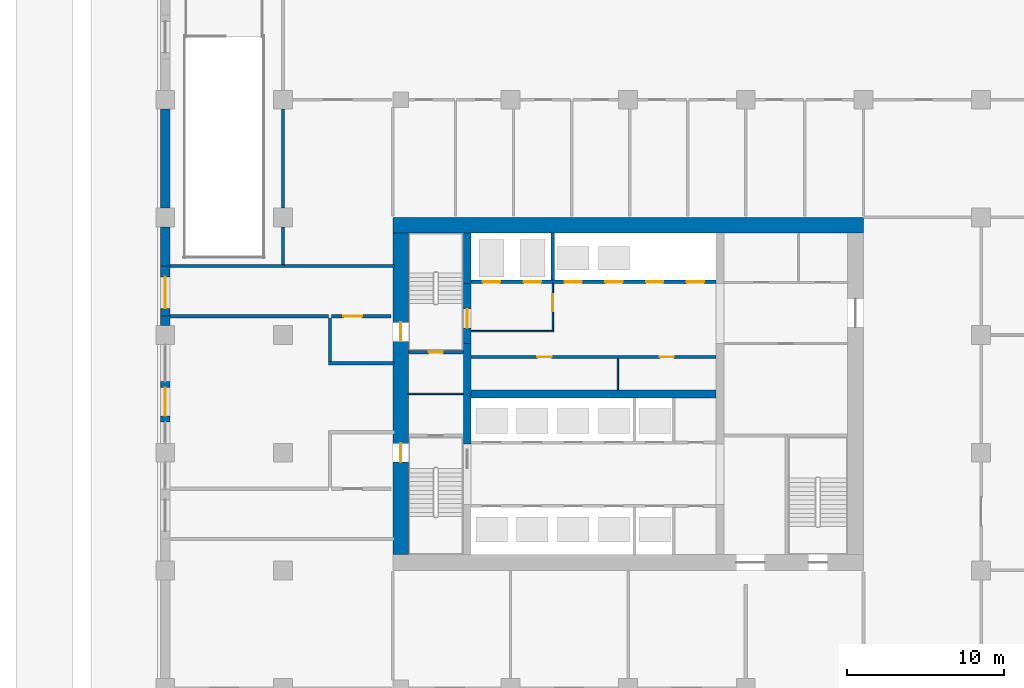
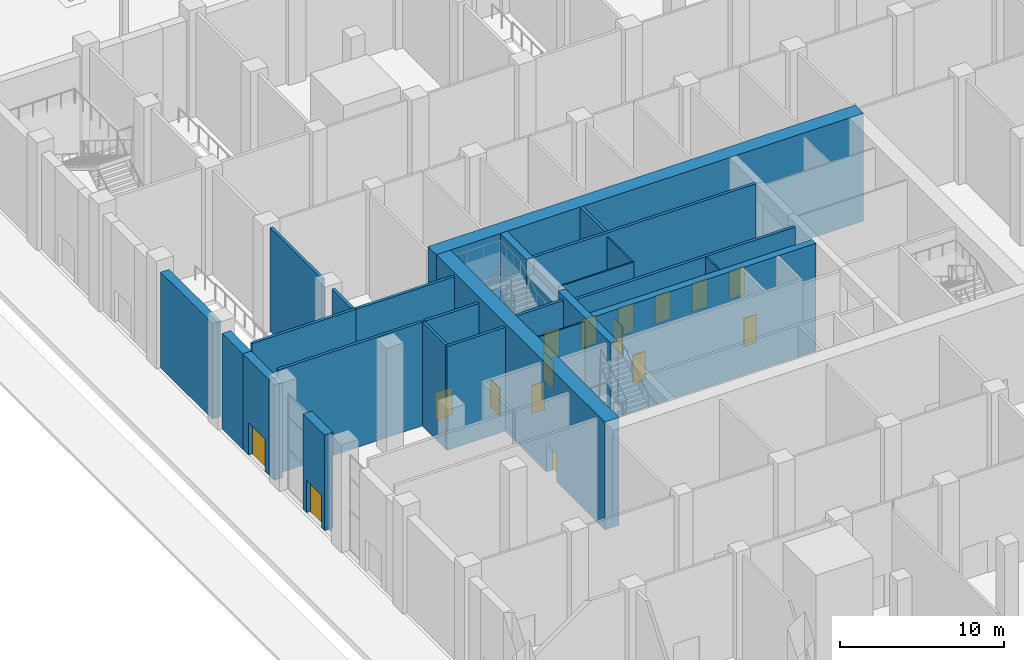
# One storey, part 28 of 57: 27 walls, 16 doors, 16 openings.
"""IFC4 building model written with IfcOpenShell, lengths in metres."""

from ifc_helpers import new_model, si_unit, direction, frame, frame_2d, origin, place, context, subcontext, project, spatial, rectangle, extrude, material, layer, layer_set, type_object, element, fill, save


model = new_model("IFC4")

# Units and contexts
model_context = context("Model", 3, precision=1e-05, world=origin(), true_north=direction((0.0, 1.0)))
body_context = subcontext(model_context, "Body", "Model", "MODEL_VIEW")
ifc_project = project(units=[si_unit("LENGTHUNIT", "METRE"), si_unit("AREAUNIT", "SQUARE_METRE"), si_unit("VOLUMEUNIT", "CUBIC_METRE"), si_unit("PLANEANGLEUNIT", "RADIAN"), si_unit("MASSUNIT", "GRAM", prefix="KILO")], contexts=[model_context])

# Site, building, storey
site_placement = place(None, origin())
site = spatial("IfcSite", under=ifc_project, at=site_placement, CompositionType="ELEMENT")
building_placement = place(site_placement, origin())
building = spatial("IfcBuilding", under=site, at=building_placement, Name="Tamorin Gate", CompositionType="ELEMENT")
storey_placement = place(building_placement, origin())
storey = spatial("IfcBuildingStorey", under=building, at=storey_placement, Name="L00", CompositionType="ELEMENT", Elevation=0.0)

# Wall
ifc_material_1 = material(Name="Reinforced concrete C32/40", Category="concrete")
ifc_layer_1 = layer(ifc_material_1, 0.199951171875)
ifc_layer_set_1 = layer_set([ifc_layer_1], Name="Exit passage wall 200")
wall_type_1 = type_object("IfcWallType", Name="Exit passage wall 200", PredefinedType="PARTITIONING", material=ifc_layer_set_1)
wall_1_placement = place(storey_placement, frame((15.800048828125, 76.199951171875, 0.0), z_axis=(0.0, 0.0, 1.0), x_axis=(1.0, 0.0, 0.0)))
element("IfcWall", 1, at=wall_1_placement, inside=storey, type_object=wall_type_1, Name="Exit passage wall 200 L00", PredefinedType="PARTITIONING", context=body_context, shape_type="SweptSolid", body=[
    extrude(rectangle(XDim=10.099853515625, YDim=0.199951171875, at=frame_2d((5.0498046875, 0.0))), origin(), (0.0, 0.0, 1.0), 7.699951171875),
])

# Wall, opening, door
wall_2_placement = place(storey_placement, frame((26.10009765625, 76.199951171875, 0.0), z_axis=(0.0, 0.0, 1.0), x_axis=(1.0, 0.0, 0.0)))
wall_2 = element("IfcWall", 2, at=wall_2_placement, inside=storey, type_object=wall_type_1, Name="Exit passage wall 200 L00", PredefinedType="PARTITIONING", context=body_context, shape_type="SweptSolid", body=[
    extrude(rectangle(XDim=3.7998046875, YDim=0.199951171875, at=frame_2d((1.89990234375, 0.0))), origin(), (0.0, 0.0, 1.0), 7.699951171875),
])
opening_1_placement = place(wall_2_placement, frame((0.75, 0.0, 0.0)))
opening_1 = element("IfcOpeningElement", 3, at=opening_1_placement, cuts=wall_2, Name="Opening DP5", PredefinedType="OPENING", context=body_context, shape_type="SweptSolid", body=[
    extrude(rectangle(XDim=1.199951171875, YDim=2.10009765625, at=frame_2d((0.60009765625, 1.050048828125))), frame((0.0, 0.10986328125, 0.0), z_axis=(0.0, -1.0, 0.0), x_axis=(1.0, 0.0, 0.0)), (0.0, 0.0, 1.0), 0.219970703125),
])
ifc_material_2 = material(Name="Painted steel", Category="steel")
door_type_1 = type_object("IfcDoorType", Name="Stair door 1200", OperationType="SINGLE_SWING_LEFT", PredefinedType="DOOR", material=ifc_material_2)
door_1_placement = place(opening_1_placement, origin())
door_1 = element("IfcDoor", 4, at=door_1_placement, inside=storey, type_object=door_type_1, Name="Stair door 1200 L00", OperationType="SINGLE_SWING_LEFT", OverallHeight=2.10009765625, OverallWidth=1.199951171875, PredefinedType="DOOR", context=body_context, shape_type="SweptSolid", body=[
    extrude(rectangle(XDim=1.199951171875, YDim=2.10009765625, at=frame_2d((0.60009765625, 1.050048828125))), frame((0.0, 0.02490234375, 0.0), z_axis=(0.0, -1.0, 0.0), x_axis=(1.0, 0.0, 0.0)), (0.0, 0.0, 1.0), 0.050048828125),
])
fill(opening_1, door_1)

# Walls
wall_3_placement = place(storey_placement, frame((25.89990234375, 73.199951171875, 0.0), z_axis=(0.0, 0.0, 1.0), x_axis=(1.0, 0.0, 0.0)))
element("IfcWall", 5, at=wall_3_placement, inside=storey, type_object=wall_type_1, Name="Exit passage wall 200 L00", PredefinedType="PARTITIONING", context=body_context, shape_type="SweptSolid", body=[
    extrude(rectangle(XDim=4.175048828125, YDim=0.199951171875, at=frame_2d((2.08740234375, 0.0))), origin(), (0.0, 0.0, 1.0), 7.699951171875),
])
wall_4_placement = place(storey_placement, frame((22.89990234375, 79.39990234375, 0.0), z_axis=(0.0, 0.0, 1.0), x_axis=(1.0, 0.0, 0.0)))
element("IfcWall", 6, at=wall_4_placement, inside=storey, type_object=wall_type_1, Name="Exit passage wall 200 L00", PredefinedType="PARTITIONING", context=body_context, shape_type="SweptSolid", body=[
    extrude(rectangle(XDim=7.2001953125, YDim=0.199951171875, at=frame_2d((3.60009765625, 0.0))), origin(), (0.0, 0.0, 1.0), 7.699951171875),
])
wall_5_placement = place(storey_placement, frame((26.0, 73.300048828125, 0.0), z_axis=(0.0, 0.0, 1.0), x_axis=(0.0, 1.0, 0.0)))
element("IfcWall", 7, at=wall_5_placement, inside=storey, type_object=wall_type_1, Name="Exit passage wall 200 L00", PredefinedType="PARTITIONING", context=body_context, shape_type="SweptSolid", body=[
    extrude(rectangle(XDim=2.800048828125, YDim=0.199951171875, at=frame_2d((1.39990234375, 0.0))), origin(), (0.0, 0.0, 1.0), 7.699951171875),
])

# Wall, openings, doors
ifc_material_3 = material(Name="Concrete C32/40", Category="concrete")
ifc_layer_2 = layer(ifc_material_3, 0.199951171875)
ifc_layer_set_2 = layer_set([ifc_layer_2], Name="Lift lobby face wall 200 EI 120")
wall_type_2 = type_object("IfcWallType", Name="Lift lobby face wall 200 EI 120", PredefinedType="SOLIDWALL", material=ifc_layer_set_2)
wall_6_placement = place(storey_placement, frame((35.0, 78.39990234375, 0.0), z_axis=(0.0, 0.0, 1.0), x_axis=(1.0, 0.0, 0.0)))
wall_6 = element("IfcWall", 8, at=wall_6_placement, inside=storey, type_object=wall_type_2, Name="Lift lobby face wall", PredefinedType="SOLIDWALL", context=body_context, shape_type="SweptSolid", body=[
    extrude(rectangle(XDim=15.60009765625, YDim=0.199951171875, at=frame_2d((7.800048828125, 0.0))), origin(), (0.0, 0.0, 1.0), 8.0),
])
opening_2_placement = place(wall_6_placement, frame((0.75, 0.0, 0.0)))
opening_2 = element("IfcOpeningElement", 9, at=opening_2_placement, cuts=wall_6, Name="Opening LD17", PredefinedType="OPENING", context=body_context, shape_type="SweptSolid", body=[
    extrude(rectangle(XDim=1.10009765625, YDim=2.10009765625, at=frame_2d((0.550048828125, 1.050048828125))), frame((0.0, 0.10986328125, 0.0), z_axis=(0.0, -1.0, 0.0), x_axis=(1.0, 0.0, 0.0)), (0.0, 0.0, 1.0), 0.219970703125),
])
opening_3_placement = place(wall_6_placement, frame((3.35009765625, 0.0, 0.0)))
opening_3 = element("IfcOpeningElement", 10, at=opening_3_placement, cuts=wall_6, Name="Opening LD18", PredefinedType="OPENING", context=body_context, shape_type="SweptSolid", body=[
    extrude(rectangle(XDim=1.10009765625, YDim=2.10009765625, at=frame_2d((0.550048828125, 1.050048828125))), frame((0.0, 0.10986328125, 0.0), z_axis=(0.0, -1.0, 0.0), x_axis=(1.0, 0.0, 0.0)), (0.0, 0.0, 1.0), 0.219970703125),
])
opening_4_placement = place(wall_6_placement, frame((5.949951171875, 0.0, 0.0)))
opening_4 = element("IfcOpeningElement", 11, at=opening_4_placement, cuts=wall_6, Name="Opening LD19", PredefinedType="OPENING", context=body_context, shape_type="SweptSolid", body=[
    extrude(rectangle(XDim=1.10009765625, YDim=2.10009765625, at=frame_2d((0.550048828125, 1.050048828125))), frame((0.0, 0.10986328125, 0.0), z_axis=(0.0, -1.0, 0.0), x_axis=(1.0, 0.0, 0.0)), (0.0, 0.0, 1.0), 0.219970703125),
])
opening_5_placement = place(wall_6_placement, frame((8.550048828125, 0.0, 0.0)))
opening_5 = element("IfcOpeningElement", 12, at=opening_5_placement, cuts=wall_6, Name="Opening LD20", PredefinedType="OPENING", context=body_context, shape_type="SweptSolid", body=[
    extrude(rectangle(XDim=1.10009765625, YDim=2.10009765625, at=frame_2d((0.550048828125, 1.050048828125))), frame((0.0, 0.10986328125, 0.0), z_axis=(0.0, -1.0, 0.0), x_axis=(1.0, 0.0, 0.0)), (0.0, 0.0, 1.0), 0.219970703125),
])
opening_6_placement = place(wall_6_placement, frame((11.14990234375, 0.0, 0.0)))
opening_6 = element("IfcOpeningElement", 13, at=opening_6_placement, cuts=wall_6, Name="Opening LD21", PredefinedType="OPENING", context=body_context, shape_type="SweptSolid", body=[
    extrude(rectangle(XDim=1.10009765625, YDim=2.10009765625, at=frame_2d((0.550048828125, 1.050048828125))), frame((0.0, 0.10986328125, 0.0), z_axis=(0.0, -1.0, 0.0), x_axis=(1.0, 0.0, 0.0)), (0.0, 0.0, 1.0), 0.219970703125),
])
opening_7_placement = place(wall_6_placement, frame((13.75, 0.0, 0.0)))
opening_7 = element("IfcOpeningElement", 14, at=opening_7_placement, cuts=wall_6, Name="Opening LD22", PredefinedType="OPENING", context=body_context, shape_type="SweptSolid", body=[
    extrude(rectangle(XDim=1.10009765625, YDim=2.10009765625, at=frame_2d((0.550048828125, 1.050048828125))), frame((0.0, 0.10986328125, 0.0), z_axis=(0.0, -1.0, 0.0), x_axis=(1.0, 0.0, 0.0)), (0.0, 0.0, 1.0), 0.219970703125),
])
ifc_material_4 = material(Name="Stainless steel sliding door", Category="steel")
door_type_2 = type_object("IfcDoorType", Name="Lift landing door 1100 x 2100 E 90", OperationType="DOUBLE_DOOR_SLIDING", PredefinedType="DOOR", material=ifc_material_4)
door_2_placement = place(opening_2_placement, origin())
door_2 = element("IfcDoor", 15, at=door_2_placement, inside=storey, type_object=door_type_2, Name="FF1 landing door", OperationType="DOUBLE_DOOR_SLIDING", OverallHeight=2.10009765625, OverallWidth=1.10009765625, PredefinedType="DOOR", context=body_context, shape_type="SweptSolid", body=[
    extrude(rectangle(XDim=1.10009765625, YDim=2.10009765625, at=frame_2d((0.550048828125, 1.050048828125))), frame((0.0, 0.02490234375, 0.0), z_axis=(0.0, -1.0, 0.0), x_axis=(1.0, 0.0, 0.0)), (0.0, 0.0, 1.0), 0.050048828125),
])
fill(opening_2, door_2)
door_3_placement = place(opening_3_placement, origin())
door_3 = element("IfcDoor", 16, at=door_3_placement, inside=storey, type_object=door_type_2, Name="FF2 landing door", OperationType="DOUBLE_DOOR_SLIDING", OverallHeight=2.10009765625, OverallWidth=1.10009765625, PredefinedType="DOOR", context=body_context, shape_type="SweptSolid", body=[
    extrude(rectangle(XDim=1.10009765625, YDim=2.10009765625, at=frame_2d((0.550048828125, 1.050048828125))), frame((0.0, 0.02490234375, 0.0), z_axis=(0.0, -1.0, 0.0), x_axis=(1.0, 0.0, 0.0)), (0.0, 0.0, 1.0), 0.050048828125),
])
fill(opening_3, door_3)
door_4_placement = place(opening_4_placement, origin())
door_4 = element("IfcDoor", 17, at=door_4_placement, inside=storey, type_object=door_type_2, Name="OB1 landing door", OperationType="DOUBLE_DOOR_SLIDING", OverallHeight=2.10009765625, OverallWidth=1.10009765625, PredefinedType="DOOR", context=body_context, shape_type="SweptSolid", body=[
    extrude(rectangle(XDim=1.10009765625, YDim=2.10009765625, at=frame_2d((0.550048828125, 1.050048828125))), frame((0.0, 0.02490234375, 0.0), z_axis=(0.0, -1.0, 0.0), x_axis=(1.0, 0.0, 0.0)), (0.0, 0.0, 1.0), 0.050048828125),
])
fill(opening_4, door_4)
door_5_placement = place(opening_5_placement, origin())
door_5 = element("IfcDoor", 18, at=door_5_placement, inside=storey, type_object=door_type_2, Name="OB2 landing door", OperationType="DOUBLE_DOOR_SLIDING", OverallHeight=2.10009765625, OverallWidth=1.10009765625, PredefinedType="DOOR", context=body_context, shape_type="SweptSolid", body=[
    extrude(rectangle(XDim=1.10009765625, YDim=2.10009765625, at=frame_2d((0.550048828125, 1.050048828125))), frame((0.0, 0.02490234375, 0.0), z_axis=(0.0, -1.0, 0.0), x_axis=(1.0, 0.0, 0.0)), (0.0, 0.0, 1.0), 0.050048828125),
])
fill(opening_5, door_5)
door_6_placement = place(opening_6_placement, origin())
door_6 = element("IfcDoor", 19, at=door_6_placement, inside=storey, type_object=door_type_2, Name="SV1 landing door", OperationType="DOUBLE_DOOR_SLIDING", OverallHeight=2.10009765625, OverallWidth=1.10009765625, PredefinedType="DOOR", context=body_context, shape_type="SweptSolid", body=[
    extrude(rectangle(XDim=1.10009765625, YDim=2.10009765625, at=frame_2d((0.550048828125, 1.050048828125))), frame((0.0, 0.02490234375, 0.0), z_axis=(0.0, -1.0, 0.0), x_axis=(1.0, 0.0, 0.0)), (0.0, 0.0, 1.0), 0.050048828125),
])
fill(opening_6, door_6)
door_7_placement = place(opening_7_placement, origin())
door_7 = element("IfcDoor", 20, at=door_7_placement, inside=storey, type_object=door_type_2, Name="SV2 landing door", OperationType="DOUBLE_DOOR_SLIDING", OverallHeight=2.10009765625, OverallWidth=1.10009765625, PredefinedType="DOOR", context=body_context, shape_type="SweptSolid", body=[
    extrude(rectangle(XDim=1.10009765625, YDim=2.10009765625, at=frame_2d((0.550048828125, 1.050048828125))), frame((0.0, 0.02490234375, 0.0), z_axis=(0.0, -1.0, 0.0), x_axis=(1.0, 0.0, 0.0)), (0.0, 0.0, 1.0), 0.050048828125),
])
fill(opening_7, door_7)

# Walls
ifc_layer_3 = layer(ifc_material_3, 0.199951171875)
ifc_layer_set_3 = layer_set([ifc_layer_3], Name="Lift shaft wall 200 EI 120")
wall_type_3 = type_object("IfcWallType", Name="Lift shaft wall 200 EI 120", PredefinedType="SOLIDWALL", material=ifc_layer_set_3)
wall_7_placement = place(storey_placement, frame((40.199951171875, 78.5, 0.0), z_axis=(0.0, 0.0, 1.0), x_axis=(0.0, 1.0, 0.0)))
element("IfcWall", 21, at=wall_7_placement, inside=storey, type_object=wall_type_3, Name="Lift shaft wall", PredefinedType="SOLIDWALL", context=body_context, shape_type="SweptSolid", body=[
    extrude(rectangle(XDim=3.0, YDim=0.199951171875, at=frame_2d((1.5, 0.0))), origin(), (0.0, 0.0, 1.0), 8.0),
])
ifc_material_5 = material(Name="Fire-rated gypsum board partition")
ifc_layer_4 = layer(ifc_material_5, 0.10009765625)
ifc_layer_set_4 = layer_set([ifc_layer_4], Name="Lobby wall 100 EI 60")
wall_type_4 = type_object("IfcWallType", Name="Lobby wall 100 EI 60", PredefinedType="PARTITIONING", material=ifc_layer_set_4)
wall_8_placement = place(storey_placement, frame((35.0, 75.25, 0.0), z_axis=(0.0, 0.0, 1.0), x_axis=(1.0, 0.0, 0.0)))
element("IfcWall", 22, at=wall_8_placement, inside=storey, type_object=wall_type_4, Name="Firefighting lobby wall", PredefinedType="PARTITIONING", context=body_context, shape_type="SweptSolid", body=[
    extrude(rectangle(XDim=5.25, YDim=0.10009765625, at=frame_2d((2.625, 0.0))), origin(), (0.0, 0.0, 1.0), 7.699951171875),
])

# Wall, opening, door
wall_9_placement = place(storey_placement, frame((40.199951171875, 75.300048828125, 0.0), z_axis=(0.0, 0.0, 1.0), x_axis=(0.0, 1.0, 0.0)))
wall_9 = element("IfcWall", 23, at=wall_9_placement, inside=storey, type_object=wall_type_4, Name="Firefighting lobby wall", PredefinedType="PARTITIONING", context=body_context, shape_type="SweptSolid", body=[
    extrude(rectangle(XDim=3.0, YDim=0.10009765625, at=frame_2d((1.5, 0.0))), origin(), (0.0, 0.0, 1.0), 7.699951171875),
])
opening_8_placement = place(wall_9_placement, frame((1.199951171875, 0.0, 0.0)))
opening_8 = element("IfcOpeningElement", 24, at=opening_8_placement, cuts=wall_9, Name="Opening DF1", PredefinedType="OPENING", context=body_context, shape_type="SweptSolid", body=[
    extrude(rectangle(XDim=1.10009765625, YDim=2.10009765625, at=frame_2d((0.550048828125, 1.050048828125))), frame((0.0, 0.06005859375, 0.0), z_axis=(0.0, -1.0, 0.0), x_axis=(1.0, 0.0, 0.0)), (0.0, 0.0, 1.0), 0.1201171875),
])
ifc_material_6 = material(Name="Steel fire door", Category="steel")
door_type_3 = type_object("IfcDoorType", Name="Firefighting lobby door 1100 x 2100 EI 90", OperationType="SINGLE_SWING_LEFT", PredefinedType="DOOR", material=ifc_material_6)
door_8_placement = place(opening_8_placement, origin())
door_8 = element("IfcDoor", 25, at=door_8_placement, inside=storey, type_object=door_type_3, Name="Firefighting lobby door", OperationType="SINGLE_SWING_LEFT", OverallHeight=2.10009765625, OverallWidth=1.10009765625, PredefinedType="DOOR", context=body_context, shape_type="SweptSolid", body=[
    extrude(rectangle(XDim=1.10009765625, YDim=2.10009765625, at=frame_2d((0.550048828125, 1.050048828125))), frame((0.0, 0.02490234375, 0.0), z_axis=(0.0, -1.0, 0.0), x_axis=(1.0, 0.0, 0.0)), (0.0, 0.0, 1.0), 0.050048828125),
])
fill(opening_8, door_8)

ifc_material_7 = material(Name="Precast concrete C40/50", Category="concrete")
ifc_layer_5 = layer(ifc_material_7, 0.60009765625)
ifc_layer_set_5 = layer_set([ifc_layer_5], Name="Precast concrete C40/50")
wall_type_5 = type_object("IfcWallType", Name="Precast plinth wall 600", PredefinedType="PARTITIONING", material=ifc_layer_set_5)
wall_10_placement = place(storey_placement, frame((15.5, 69.449951171875, 0.0), z_axis=(0.0, 0.0, 1.0), x_axis=(0.0, 1.0, 0.0)))
wall_10 = element("IfcWall", 26, at=wall_10_placement, inside=storey, type_object=wall_type_5, Name="Precast plinth wall 600 L00", PredefinedType="PARTITIONING", context=body_context, shape_type="SweptSolid", body=[
    extrude(rectangle(XDim=2.60009765625, YDim=0.60009765625, at=frame_2d((1.300048828125, 0.0))), origin(), (0.0, 0.0, 1.0), 7.10009765625),
])
opening_9_placement = place(wall_10_placement, frame((0.39990234375, 0.0, 0.0)))
opening_9 = element("IfcOpeningElement", 27, at=opening_9_placement, cuts=wall_10, Name="Opening DP3", PredefinedType="OPENING", context=body_context, shape_type="SweptSolid", body=[
    extrude(rectangle(XDim=1.800048828125, YDim=2.39990234375, at=frame_2d((0.89990234375, 1.199951171875))), frame((0.0, 0.31005859375, 0.0), z_axis=(0.0, -1.0, 0.0), x_axis=(1.0, 0.0, 0.0)), (0.0, 0.0, 1.0), 0.6201171875),
])
ifc_material_8 = material(Name="Steel and glass", Category="steel")
door_type_4 = type_object("IfcDoorType", Name="Door pair 1800", OperationType="DOUBLE_DOOR_SINGLE_SWING", PredefinedType="DOOR", material=ifc_material_8)
door_9_placement = place(opening_9_placement, origin())
door_9 = element("IfcDoor", 28, at=door_9_placement, inside=storey, type_object=door_type_4, Name="Door pair 1800 L00", OperationType="SINGLE_SWING_LEFT", OverallHeight=2.39990234375, OverallWidth=1.800048828125, PredefinedType="DOOR", context=body_context, shape_type="SweptSolid", body=[
    extrude(rectangle(XDim=1.800048828125, YDim=2.39990234375, at=frame_2d((0.89990234375, 1.199951171875))), frame((0.0, 0.02490234375, 0.0), z_axis=(0.0, -1.0, 0.0), x_axis=(1.0, 0.0, 0.0)), (0.0, 0.0, 1.0), 0.050048828125),
])
fill(opening_9, door_9)

# Wall
wall_11_placement = place(storey_placement, frame((15.5, 75.60009765625, 0.0), z_axis=(0.0, 0.0, 1.0), x_axis=(0.0, 1.0, 0.0)))
element("IfcWall", 29, at=wall_11_placement, inside=storey, type_object=wall_type_5, Name="Precast plinth wall 600 L00", PredefinedType="PARTITIONING", context=body_context, shape_type="SweptSolid", body=[
    extrude(rectangle(XDim=0.599853515625, YDim=0.60009765625, at=frame_2d((0.2998046875, 0.0))), origin(), (0.0, 0.0, 1.0), 7.10009765625),
])

# Wall, opening, door
wall_12_placement = place(storey_placement, frame((15.5, 76.199951171875, 0.0), z_axis=(0.0, 0.0, 1.0), x_axis=(0.0, 1.0, 0.0)))
wall_12 = element("IfcWall", 30, at=wall_12_placement, inside=storey, type_object=wall_type_5, Name="Precast plinth wall 600 L00", PredefinedType="PARTITIONING", context=body_context, shape_type="SweptSolid", body=[
    extrude(rectangle(XDim=3.199951171875, YDim=0.60009765625, at=frame_2d((1.60009765625, 0.0))), origin(), (0.0, 0.0, 1.0), 7.10009765625),
])
opening_10_placement = place(wall_12_placement, frame((0.5, 0.0, 0.0)))
opening_10 = element("IfcOpeningElement", 31, at=opening_10_placement, cuts=wall_12, Name="Opening DP4", PredefinedType="OPENING", context=body_context, shape_type="SweptSolid", body=[
    extrude(rectangle(XDim=2.0, YDim=2.39990234375, at=frame_2d((1.0, 1.199951171875))), frame((0.0, 0.31005859375, 0.0), z_axis=(0.0, -1.0, 0.0), x_axis=(1.0, 0.0, 0.0)), (0.0, 0.0, 1.0), 0.6201171875),
])
door_type_5 = type_object("IfcDoorType", Name="Exit door pair 2000", OperationType="DOUBLE_DOOR_SINGLE_SWING", PredefinedType="DOOR", material=ifc_material_8)
door_10_placement = place(opening_10_placement, origin())
door_10 = element("IfcDoor", 32, at=door_10_placement, inside=storey, type_object=door_type_5, Name="Exit door pair 2000 L00", OperationType="SINGLE_SWING_LEFT", OverallHeight=2.39990234375, OverallWidth=2.0, PredefinedType="DOOR", context=body_context, shape_type="SweptSolid", body=[
    extrude(rectangle(XDim=2.0, YDim=2.39990234375, at=frame_2d((1.0, 1.199951171875))), frame((0.0, 0.02490234375, 0.0), z_axis=(0.0, -1.0, 0.0), x_axis=(1.0, 0.0, 0.0)), (0.0, 0.0, 1.0), 0.050048828125),
])
fill(opening_10, door_10)

# Walls
wall_13_placement = place(storey_placement, frame((15.5, 79.39990234375, 0.0), z_axis=(0.0, 0.0, 1.0), x_axis=(0.0, 1.0, 0.0)))
element("IfcWall", 33, at=wall_13_placement, inside=storey, type_object=wall_type_5, Name="Precast plinth wall 600 L00", PredefinedType="PARTITIONING", context=body_context, shape_type="SweptSolid", body=[
    extrude(rectangle(XDim=2.5, YDim=0.60009765625, at=frame_2d((1.25, 0.0))), origin(), (0.0, 0.0, 1.0), 7.10009765625),
])
wall_14_placement = place(storey_placement, frame((15.5, 83.10009765625, 0.0), z_axis=(0.0, 0.0, 1.0), x_axis=(0.0, 1.0, 0.0)))
element("IfcWall", 34, at=wall_14_placement, inside=storey, type_object=wall_type_5, Name="Precast plinth wall 600 L00", PredefinedType="PARTITIONING", context=body_context, shape_type="SweptSolid", body=[
    extrude(rectangle(XDim=6.2998046875, YDim=0.60009765625, at=frame_2d((3.14990234375, 0.0))), origin(), (0.0, 0.0, 1.0), 7.10009765625),
])
ifc_material_9 = material(Name="Concrete C80/95", Category="concrete")
ifc_layer_6 = layer(ifc_material_9, 0.5)
ifc_layer_set_6 = layer_set([ifc_layer_6], Name="RC core internal wall 500 C80/95")
wall_type_6 = type_object("IfcWallType", Name="RC core internal wall 500 C80/95", PredefinedType="SHEAR", material=ifc_layer_set_6)
wall_15_placement = place(storey_placement, frame((35.0, 71.25, 0.0), z_axis=(0.0, 0.0, 1.0), x_axis=(1.0, 0.0, 0.0)))
element("IfcWall", 35, at=wall_15_placement, inside=storey, type_object=wall_type_6, Name="Core spine wall L00", PredefinedType="SHEAR", context=body_context, shape_type="SweptSolid", body=[
    extrude(rectangle(XDim=15.60009765625, YDim=0.5, at=frame_2d((7.800048828125, 0.0))), origin(), (0.0, 0.0, 1.0), 8.0),
])
wall_16_placement = place(storey_placement, frame((34.75, 68.050048828125, 0.0), z_axis=(0.0, 0.0, 1.0), x_axis=(0.0, 1.0, 0.0)))
element("IfcWall", 36, at=wall_16_placement, inside=storey, type_object=wall_type_6, Name="Core cross wall L00", PredefinedType="SHEAR", context=body_context, shape_type="SweptSolid", body=[
    extrude(rectangle(XDim=6.39990234375, YDim=0.5, at=frame_2d((3.199951171875, 0.0))), origin(), (0.0, 0.0, 1.0), 8.0),
])
wall_17_placement = place(storey_placement, frame((34.75, 78.300048828125, 0.0), z_axis=(0.0, 0.0, 1.0), x_axis=(0.0, 1.0, 0.0)))
element("IfcWall", 37, at=wall_17_placement, inside=storey, type_object=wall_type_6, Name="Core cross wall L00", PredefinedType="SHEAR", context=body_context, shape_type="SweptSolid", body=[
    extrude(rectangle(XDim=3.199951171875, YDim=0.5, at=frame_2d((1.60009765625, 0.0))), origin(), (0.0, 0.0, 1.0), 8.0),
])
ifc_layer_7 = layer(ifc_material_9, 1.0)
ifc_layer_set_7 = layer_set([ifc_layer_7], Name="RC core wall 1000 C80/95")
wall_type_7 = type_object("IfcWallType", Name="RC core wall 1000 C80/95", PredefinedType="SHEAR", material=ifc_layer_set_7)
wall_18_placement = place(storey_placement, frame((30.0, 82.0, 0.0), z_axis=(0.0, 0.0, 1.0), x_axis=(1.0, 0.0, 0.0)))
element("IfcWall", 38, at=wall_18_placement, inside=storey, type_object=wall_type_7, Name="Core wall L00", PredefinedType="SHEAR", context=body_context, shape_type="SweptSolid", body=[
    extrude(rectangle(XDim=30.0, YDim=1.0, at=frame_2d((15.0, 0.0))), origin(), (0.0, 0.0, 1.0), 8.0),
])

# Wall, openings, doors
wall_19_placement = place(storey_placement, frame((30.5, 61.0, 0.0), z_axis=(0.0, 0.0, 1.0), x_axis=(0.0, 1.0, 0.0)))
wall_19 = element("IfcWall", 39, at=wall_19_placement, inside=storey, type_object=wall_type_7, Name="Core wall L00", PredefinedType="SHEAR", context=body_context, shape_type="SweptSolid", body=[
    extrude(rectangle(XDim=20.5, YDim=1.0, at=frame_2d((10.25, 0.0))), origin(), (0.0, 0.0, 1.0), 8.0),
])
opening_11_placement = place(wall_19_placement, frame((5.89990234375, 0.0, 0.0)))
opening_11 = element("IfcOpeningElement", 40, at=opening_11_placement, cuts=wall_19, Name="Opening DS1", PredefinedType="OPENING", context=body_context, shape_type="SweptSolid", body=[
    extrude(rectangle(XDim=1.199951171875, YDim=2.10009765625, at=frame_2d((0.60009765625, 1.050048828125))), frame((0.0, 0.510009765625, 0.0), z_axis=(0.0, -1.0, 0.0), x_axis=(1.0, 0.0, 0.0)), (0.0, 0.0, 1.0), 1.02001953125),
])
opening_12_placement = place(wall_19_placement, frame((13.60009765625, 0.0, 0.0)))
opening_12 = element("IfcOpeningElement", 41, at=opening_12_placement, cuts=wall_19, Name="Opening DS1", PredefinedType="OPENING", context=body_context, shape_type="SweptSolid", body=[
    extrude(rectangle(XDim=1.199951171875, YDim=2.10009765625, at=frame_2d((0.60009765625, 1.050048828125))), frame((0.0, 0.510009765625, 0.0), z_axis=(0.0, -1.0, 0.0), x_axis=(1.0, 0.0, 0.0)), (0.0, 0.0, 1.0), 1.02001953125),
])
door_type_6 = type_object("IfcDoorType", Name="Stair door 1200 x 2100 EI 90", OperationType="SINGLE_SWING_LEFT", PredefinedType="DOOR", material=ifc_material_6)
door_11_placement = place(opening_11_placement, origin())
door_11 = element("IfcDoor", 42, at=door_11_placement, inside=storey, type_object=door_type_6, Name="ST1 exit door", OperationType="SINGLE_SWING_LEFT", OverallHeight=2.10009765625, OverallWidth=1.199951171875, PredefinedType="DOOR", context=body_context, shape_type="SweptSolid", body=[
    extrude(rectangle(XDim=1.199951171875, YDim=2.10009765625, at=frame_2d((0.60009765625, 1.050048828125))), frame((0.0, 0.02490234375, 0.0), z_axis=(0.0, -1.0, 0.0), x_axis=(1.0, 0.0, 0.0)), (0.0, 0.0, 1.0), 0.050048828125),
])
fill(opening_11, door_11)
door_12_placement = place(opening_12_placement, origin())
door_12 = element("IfcDoor", 43, at=door_12_placement, inside=storey, type_object=door_type_6, Name="ST2 exit door", OperationType="SINGLE_SWING_RIGHT", OverallHeight=2.10009765625, OverallWidth=1.199951171875, PredefinedType="DOOR", context=body_context, shape_type="SweptSolid", body=[
    extrude(rectangle(XDim=1.199951171875, YDim=2.10009765625, at=frame_2d((0.60009765625, 1.050048828125))), frame((0.0, 0.02490234375, 0.0), z_axis=(0.0, -1.0, 0.0), x_axis=(1.0, 0.0, 0.0)), (0.0, 0.0, 1.0), 0.050048828125),
])
fill(opening_12, door_12)

# Wall
ifc_layer_8 = layer(ifc_material_5, 0.10009765625)
ifc_layer_set_8 = layer_set([ifc_layer_8], Name="Riser partition 100 EI 120")
wall_type_8 = type_object("IfcWallType", Name="Riser partition 100 EI 120", PredefinedType="PARTITIONING", material=ifc_layer_set_8)
wall_20_placement = place(storey_placement, frame((31.0, 71.25, 0.0), z_axis=(0.0, 0.0, 1.0), x_axis=(1.0, 0.0, 0.0)))
element("IfcWall", 44, at=wall_20_placement, inside=storey, type_object=wall_type_8, Name="Riser partition", PredefinedType="PARTITIONING", context=body_context, shape_type="SweptSolid", body=[
    extrude(rectangle(XDim=3.5, YDim=0.10009765625, at=frame_2d((1.75, 0.0))), origin(), (0.0, 0.0, 1.0), 7.699951171875),
])

# Wall, openings, doors
ifc_material_10 = material(Name="Gypsum board partition")
ifc_layer_9 = layer(ifc_material_10, 0.199951171875)
ifc_layer_set_9 = layer_set([ifc_layer_9], Name="Service room face wall 200 EI 60")
wall_type_9 = type_object("IfcWallType", Name="Service room face wall 200 EI 60", PredefinedType="PARTITIONING", material=ifc_layer_set_9)
wall_21_placement = place(storey_placement, frame((35.0, 73.60009765625, 0.0), z_axis=(0.0, 0.0, 1.0), x_axis=(1.0, 0.0, 0.0)))
wall_21 = element("IfcWall", 45, at=wall_21_placement, inside=storey, type_object=wall_type_9, Name="Service room face wall", PredefinedType="PARTITIONING", context=body_context, shape_type="SweptSolid", body=[
    extrude(rectangle(XDim=15.60009765625, YDim=0.199951171875, at=frame_2d((7.800048828125, 0.0))), origin(), (0.0, 0.0, 1.0), 7.699951171875),
])
opening_13_placement = place(wall_21_placement, frame((4.22509765625, 0.0, 0.0)))
opening_13 = element("IfcOpeningElement", 46, at=opening_13_placement, cuts=wall_21, Name="Opening DK1", PredefinedType="OPENING", context=body_context, shape_type="SweptSolid", body=[
    extrude(rectangle(XDim=0.89990234375, YDim=2.10009765625, at=frame_2d((0.449951171875, 1.050048828125))), frame((0.0, 0.10986328125, 0.0), z_axis=(0.0, -1.0, 0.0), x_axis=(1.0, 0.0, 0.0)), (0.0, 0.0, 1.0), 0.219970703125),
])
opening_14_placement = place(wall_21_placement, frame((12.02490234375, 0.0, 0.0)))
opening_14 = element("IfcOpeningElement", 47, at=opening_14_placement, cuts=wall_21, Name="Opening DK1", PredefinedType="OPENING", context=body_context, shape_type="SweptSolid", body=[
    extrude(rectangle(XDim=0.89990234375, YDim=2.10009765625, at=frame_2d((0.449951171875, 1.050048828125))), frame((0.0, 0.10986328125, 0.0), z_axis=(0.0, -1.0, 0.0), x_axis=(1.0, 0.0, 0.0)), (0.0, 0.0, 1.0), 0.219970703125),
])
ifc_material_11 = material(Name="Timber fire door", Category="wood")
door_type_7 = type_object("IfcDoorType", Name="Service room door 900 x 2100 EI 60", OperationType="SINGLE_SWING_LEFT", PredefinedType="DOOR", material=ifc_material_11)
door_13_placement = place(opening_13_placement, origin())
door_13 = element("IfcDoor", 48, at=door_13_placement, inside=storey, type_object=door_type_7, Name="Door Telecom room", OperationType="SINGLE_SWING_RIGHT", OverallHeight=2.10009765625, OverallWidth=0.89990234375, PredefinedType="DOOR", context=body_context, shape_type="SweptSolid", body=[
    extrude(rectangle(XDim=0.89990234375, YDim=2.10009765625, at=frame_2d((0.449951171875, 1.050048828125))), frame((0.0, 0.02490234375, 0.0), z_axis=(0.0, -1.0, 0.0), x_axis=(1.0, 0.0, 0.0)), (0.0, 0.0, 1.0), 0.050048828125),
])
fill(opening_13, door_13)
door_14_placement = place(opening_14_placement, origin())
door_14 = element("IfcDoor", 49, at=door_14_placement, inside=storey, type_object=door_type_7, Name="Door Waste store", OperationType="SINGLE_SWING_LEFT", OverallHeight=2.10009765625, OverallWidth=0.89990234375, PredefinedType="DOOR", context=body_context, shape_type="SweptSolid", body=[
    extrude(rectangle(XDim=0.89990234375, YDim=2.10009765625, at=frame_2d((0.449951171875, 1.050048828125))), frame((0.0, 0.02490234375, 0.0), z_axis=(0.0, -1.0, 0.0), x_axis=(1.0, 0.0, 0.0)), (0.0, 0.0, 1.0), 0.050048828125),
])
fill(opening_14, door_14)

# Walls
ifc_layer_10 = layer(ifc_material_10, 0.10009765625)
ifc_layer_set_10 = layer_set([ifc_layer_10], Name="Service room partition 100 EI 60")
wall_type_10 = type_object("IfcWallType", Name="Service room partition 100 EI 60", PredefinedType="PARTITIONING", material=ifc_layer_set_10)
wall_22_placement = place(storey_placement, frame((44.35009765625, 71.5, 0.0), z_axis=(0.0, 0.0, 1.0), x_axis=(0.0, 1.0, 0.0)))
element("IfcWall", 50, at=wall_22_placement, inside=storey, type_object=wall_type_10, Name="Service room partition", PredefinedType="PARTITIONING", context=body_context, shape_type="SweptSolid", body=[
    extrude(rectangle(XDim=2.0, YDim=0.10009765625, at=frame_2d((1.0, 0.0))), origin(), (0.0, 0.0, 1.0), 7.699951171875),
])
ifc_material_12 = material(Name="Concrete C40/50", Category="concrete")
ifc_layer_11 = layer(ifc_material_12, 0.199951171875)
ifc_layer_set_11 = layer_set([ifc_layer_11], Name="Stair enclosure 200")
wall_type_11 = type_object("IfcWallType", Name="Stair enclosure 200", PredefinedType="SHEAR", material=ifc_layer_set_11)
wall_23_placement = place(storey_placement, frame((15.800048828125, 79.39990234375, 0.0), z_axis=(0.0, 0.0, 1.0), x_axis=(1.0, 0.0, 0.0)))
element("IfcWall", 51, at=wall_23_placement, inside=storey, type_object=wall_type_11, Name="Stair enclosure 200 L00", PredefinedType="SHEAR", context=body_context, shape_type="SweptSolid", body=[
    extrude(rectangle(XDim=7.300048828125, YDim=0.199951171875, at=frame_2d((3.64990234375, 0.0))), origin(), (0.0, 0.0, 1.0), 7.699951171875),
])
wall_24_placement = place(storey_placement, frame((23.0, 79.5, 0.0), z_axis=(0.0, 0.0, 1.0), x_axis=(0.0, 1.0, 0.0)))
element("IfcWall", 52, at=wall_24_placement, inside=storey, type_object=wall_type_11, Name="Stair enclosure 200 L00", PredefinedType="SHEAR", context=body_context, shape_type="SweptSolid", body=[
    extrude(rectangle(XDim=2.39990234375, YDim=0.199951171875, at=frame_2d((1.199951171875, 0.0))), origin(), (0.0, 0.0, 1.0), 7.699951171875),
])
wall_25_placement = place(storey_placement, frame((23.0, 83.10009765625, 0.0), z_axis=(0.0, 0.0, 1.0), x_axis=(0.0, 1.0, 0.0)))
element("IfcWall", 53, at=wall_25_placement, inside=storey, type_object=wall_type_11, Name="Stair enclosure 200 L00", PredefinedType="SHEAR", context=body_context, shape_type="SweptSolid", body=[
    extrude(rectangle(XDim=6.2998046875, YDim=0.199951171875, at=frame_2d((3.14990234375, 0.0))), origin(), (0.0, 0.0, 1.0), 7.699951171875),
])

# Wall, opening, door
ifc_layer_12 = layer(ifc_material_12, 0.199951171875)
ifc_layer_set_12 = layer_set([ifc_layer_12], Name="Stair enclosure wall 200 EI 120 C40/50")
wall_type_12 = type_object("IfcWallType", Name="Stair enclosure wall 200 EI 120 C40/50", PredefinedType="SOLIDWALL", material=ifc_layer_set_12)
wall_26_placement = place(storey_placement, frame((31.0, 73.89990234375, 0.0), z_axis=(0.0, 0.0, 1.0), x_axis=(1.0, 0.0, 0.0)))
wall_26 = element("IfcWall", 54, at=wall_26_placement, inside=storey, type_object=wall_type_12, Name="Stair enclosure wall", PredefinedType="SOLIDWALL", context=body_context, shape_type="SweptSolid", body=[
    extrude(rectangle(XDim=3.5, YDim=0.199951171875, at=frame_2d((1.75, 0.0))), origin(), (0.0, 0.0, 1.0), 7.699951171875),
])
opening_15_placement = place(wall_26_placement, frame((1.300048828125, 0.0, 0.0)))
opening_15 = element("IfcOpeningElement", 55, at=opening_15_placement, cuts=wall_26, Name="Opening DR1", PredefinedType="OPENING", context=body_context, shape_type="SweptSolid", body=[
    extrude(rectangle(XDim=0.89990234375, YDim=2.10009765625, at=frame_2d((0.449951171875, 1.050048828125))), frame((0.0, 0.10986328125, 0.0), z_axis=(0.0, -1.0, 0.0), x_axis=(1.0, 0.0, 0.0)), (0.0, 0.0, 1.0), 0.219970703125),
])
door_type_8 = type_object("IfcDoorType", Name="Riser access door 900 x 2100 EI 120", OperationType="SINGLE_SWING_LEFT", PredefinedType="DOOR", material=ifc_material_6)
door_15_placement = place(opening_15_placement, origin())
door_15 = element("IfcDoor", 56, at=door_15_placement, inside=storey, type_object=door_type_8, Name="Communications riser door", OperationType="SINGLE_SWING_RIGHT", OverallHeight=2.10009765625, OverallWidth=0.89990234375, PredefinedType="DOOR", context=body_context, shape_type="SweptSolid", body=[
    extrude(rectangle(XDim=0.89990234375, YDim=2.10009765625, at=frame_2d((0.449951171875, 1.050048828125))), frame((0.0, 0.02490234375, 0.0), z_axis=(0.0, -1.0, 0.0), x_axis=(1.0, 0.0, 0.0)), (0.0, 0.0, 1.0), 0.050048828125),
])
fill(opening_15, door_15)

ifc_layer_13 = layer(ifc_material_3, 0.5)
ifc_layer_set_13 = layer_set([ifc_layer_13], Name="Stair lobby infill wall 500 EI 120")
wall_type_13 = type_object("IfcWallType", Name="Stair lobby infill wall 500 EI 120", PredefinedType="SOLIDWALL", material=ifc_layer_set_13)
wall_27_placement = place(storey_placement, frame((34.75, 74.449951171875, 0.0), z_axis=(0.0, 0.0, 1.0), x_axis=(0.0, 1.0, 0.0)))
wall_27 = element("IfcWall", 57, at=wall_27_placement, inside=storey, type_object=wall_type_13, Name="Stair lobby infill wall", PredefinedType="SOLIDWALL", context=body_context, shape_type="SweptSolid", body=[
    extrude(rectangle(XDim=3.85009765625, YDim=0.5, at=frame_2d((1.925048828125, 0.0))), origin(), (0.0, 0.0, 1.0), 6.800048828125),
])
opening_16_placement = place(wall_27_placement, frame((1.0, 0.0, 0.0)))
opening_16 = element("IfcOpeningElement", 58, at=opening_16_placement, cuts=wall_27, Name="Opening DS1", PredefinedType="OPENING", context=body_context, shape_type="SweptSolid", body=[
    extrude(rectangle(XDim=1.199951171875, YDim=2.10009765625, at=frame_2d((0.60009765625, 1.050048828125))), frame((0.0, 0.260009765625, 0.0), z_axis=(0.0, -1.0, 0.0), x_axis=(1.0, 0.0, 0.0)), (0.0, 0.0, 1.0), 0.52001953125),
])
door_16_placement = place(opening_16_placement, origin())
door_16 = element("IfcDoor", 59, at=door_16_placement, inside=storey, type_object=door_type_6, Name="ST2 door", OperationType="SINGLE_SWING_RIGHT", OverallHeight=2.10009765625, OverallWidth=1.199951171875, PredefinedType="DOOR", context=body_context, shape_type="SweptSolid", body=[
    extrude(rectangle(XDim=1.199951171875, YDim=2.10009765625, at=frame_2d((0.60009765625, 1.050048828125))), frame((0.0, 0.02490234375, 0.0), z_axis=(0.0, -1.0, 0.0), x_axis=(1.0, 0.0, 0.0)), (0.0, 0.0, 1.0), 0.050048828125),
])
fill(opening_16, door_16)

save(model, "model.ifc")
